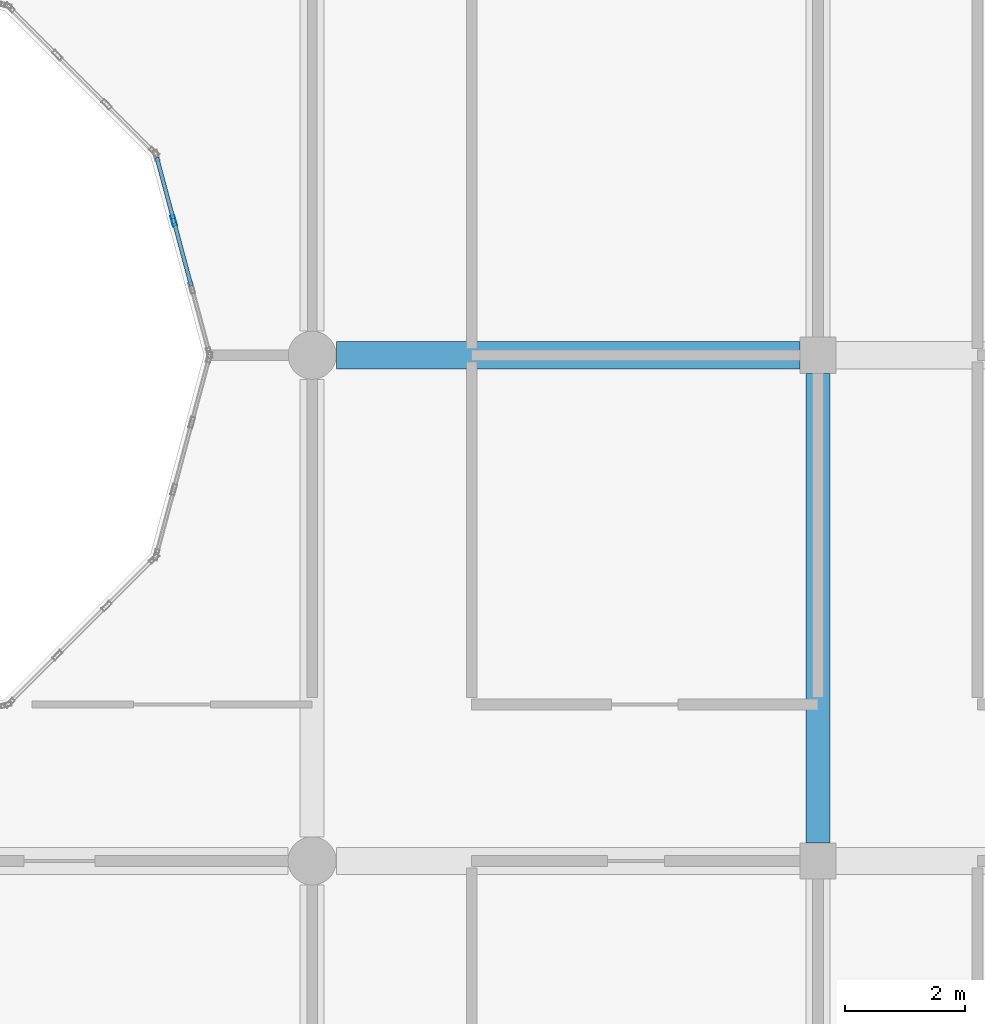
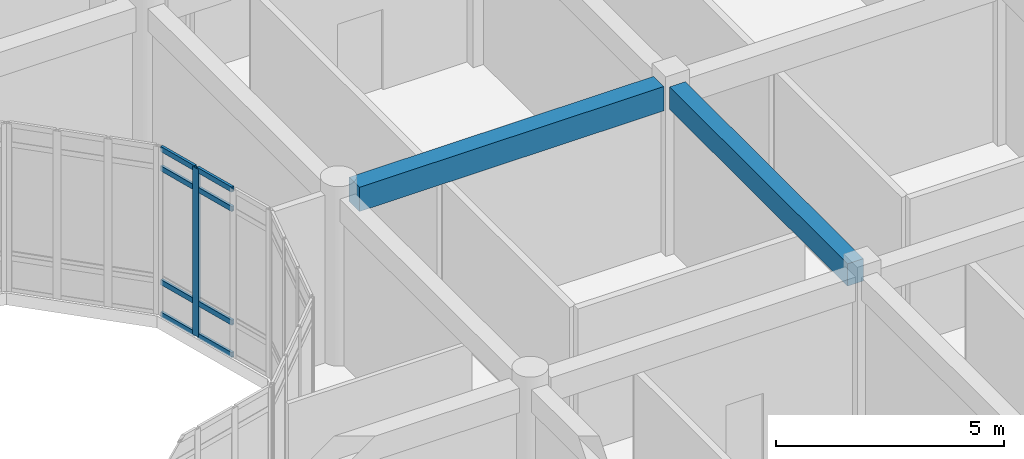
# One storey, part 28 of 138: 9 members, 2 beams, 1 element without a shape of its own.
"""IFC4 building model written with IfcOpenShell, lengths in metres."""

from ifc_helpers import new_model, si_unit, direction, frame, origin, origin_2d, place, context, subcontext, project, spatial, rectangle, hollow_rectangle, extrude, material, layer, layer_set, material_profile, profile_set, type_object, element, aggregate, save


model = new_model("IFC4")

# Units and contexts
model_context = context("Model", 3, precision=1e-05, world=origin(), true_north=direction((0.0, 1.0)))
body_context = subcontext(model_context, "Body", "Model", "MODEL_VIEW")
ifc_project = project(units=[si_unit("LENGTHUNIT", "METRE"), si_unit("AREAUNIT", "SQUARE_METRE"), si_unit("VOLUMEUNIT", "CUBIC_METRE"), si_unit("PLANEANGLEUNIT", "RADIAN"), si_unit("MASSUNIT", "GRAM", prefix="KILO")], contexts=[model_context])

# Site, building, storey
site_placement = place(None, origin())
site = spatial("IfcSite", under=ifc_project, at=site_placement, CompositionType="ELEMENT")
building_placement = place(site_placement, origin())
building = spatial("IfcBuilding", under=site, at=building_placement, Name="Bramfleet General Hospital", CompositionType="ELEMENT")
storey_placement = place(building_placement, origin())
storey = spatial("IfcBuildingStorey", under=building, at=storey_placement, Name="L00", CompositionType="ELEMENT", Elevation=0.0)

# Beams
ifc_material_1 = material(Name="Concrete C35/45", Category="concrete")
ifc_material_profile_1 = material_profile(ifc_material_1, rectangle(XDim=0.39990234375, YDim=0.60009765625, at=origin_2d()), Name="RC BM 600x400")
ifc_profile_set_1 = profile_set([ifc_material_profile_1], Name="Concrete C35/45")
beam_type_1 = type_object("IfcBeamType", Name="BM-RC600", PredefinedType="BEAM", material=ifc_profile_set_1)
beam_1_placement = place(storey_placement, frame((42.0, 75.89990234375, 4.199951171875), z_axis=(0.0, 1.0, 0.0), x_axis=(-1.0, 0.0, 0.0)))
element("IfcBeam", 1, at=beam_1_placement, inside=storey, type_object=beam_type_1, Name="L00 Grid Beam Y 05-09", PredefinedType="BEAM", context=body_context, shape_type="SweptSolid", body=[
    extrude(rectangle(XDim=0.39990234375, YDim=0.60009765625, at=origin_2d()), origin(), (0.0, 0.0, 1.0), 7.800048828125),
])
ifc_material_profile_2 = material_profile(ifc_material_1, rectangle(XDim=0.449951171875, YDim=0.64990234375, at=origin_2d()), Name="RC BM 650x450")
ifc_profile_set_2 = profile_set([ifc_material_profile_2], Name="Concrete C35/45")
beam_type_2 = type_object("IfcBeamType", Name="BM-RC650", PredefinedType="BEAM", material=ifc_profile_set_2)
beam_2_placement = place(storey_placement, frame((34.0, 84.0, 4.175048828125), z_axis=(1.0, 0.0, 0.0), x_axis=(0.0, 1.0, 0.0)))
element("IfcBeam", 2, at=beam_2_placement, inside=storey, type_object=beam_type_2, Name="L00 Grid Beam X 04-10", PredefinedType="BEAM", context=body_context, shape_type="SweptSolid", body=[
    extrude(rectangle(XDim=0.449951171875, YDim=0.64990234375, at=origin_2d()), origin(), (0.0, 0.0, 1.0), 7.699951171875),
])

# Curtain wall, members
ifc_material_2 = material(Name="Anodised aluminium and low-E triple glazing", Category="aluminium")
ifc_layer = layer(ifc_material_2, 0.179931640625, Name="CWT-CW-11")
ifc_layer_set = layer_set([ifc_layer], Name="Anodised aluminium and low-E triple glazing")
curtain_wall_type = type_object("IfcCurtainWallType", Name="CWT-CW-11", PredefinedType="USERDEFINED", material=ifc_layer_set)
curtain_wall_placement = place(storey_placement, origin())
curtain_wall = element("IfcCurtainWall", 3, at=curtain_wall_placement, inside=storey, type_object=curtain_wall_type, Name="L00 West Clinical Light Court Curtain Wall 7.1", ObjectType="Stick curtain wall", PredefinedType="USERDEFINED")
ifc_material_3 = material(Name="Anodised aluminium EN AW-6060", Category="aluminium")
ifc_material_profile_3 = material_profile(ifc_material_3, hollow_rectangle(XDim=0.070068359375, YDim=0.179931640625, WallThickness=0.00390625, at=origin_2d()), Name="ALU 180x70x4.0")
ifc_profile_set_3 = profile_set([ifc_material_profile_3], Name="Anodised aluminium EN AW-6060")
member_type_1 = type_object("IfcMemberType", Name="CWM-ALU180", PredefinedType="MULLION", material=ifc_profile_set_3)
member_1_placement = place(storey_placement, frame((31.30126953125, 86.2333984375, 0.0), z_axis=(0.0, 0.0, 1.0), x_axis=(-0.965899136003, -0.25891863407, 0.0)))
member_1 = element("IfcMember", 4, at=member_1_placement, type_object=member_type_1, Name="CW-11 mullion 3", PredefinedType="MULLION", context=body_context, shape_type="SweptSolid", body=[
    extrude(hollow_rectangle(XDim=0.070068359375, YDim=0.179931640625, WallThickness=0.00390625, at=origin_2d()), origin(), (0.0, 0.0, 1.0), 4.489990234375),
])
ifc_material_profile_4 = material_profile(ifc_material_3, hollow_rectangle(XDim=0.06494140625, YDim=0.139892578125, WallThickness=0.00390625, at=origin_2d()), Name="ALU 140x65x4.0")
ifc_profile_set_4 = profile_set([ifc_material_profile_4], Name="Anodised aluminium EN AW-6060")
member_type_2 = type_object("IfcMemberType", Name="CWT-ALU140", PredefinedType="USERDEFINED", material=ifc_profile_set_4)
member_2_placement = place(storey_placement, frame((31.591552734375, 85.150390625, 0.032470703125), z_axis=(-0.258949558843, 0.965890845787, 0.0), x_axis=(-0.965890845787, -0.258949558843, 0.0)))
member_2 = element("IfcMember", 5, at=member_2_placement, type_object=member_type_2, Name="CW-11 transom 2.1", ObjectType="TRANSOM", PredefinedType="USERDEFINED", context=body_context, shape_type="SweptSolid", body=[
    extrude(hollow_rectangle(XDim=0.06494140625, YDim=0.139892578125, WallThickness=0.00390625, at=origin_2d()), origin(), (0.0, 0.0, 1.0), 1.086181640625),
])
member_3_placement = place(storey_placement, frame((31.591552734375, 85.150390625, 0.89990234375), z_axis=(-0.258949558843, 0.965890845787, 0.0), x_axis=(-0.965890845787, -0.258949558843, 0.0)))
member_3 = element("IfcMember", 6, at=member_3_placement, type_object=member_type_2, Name="CW-11 transom 2.2", ObjectType="TRANSOM", PredefinedType="USERDEFINED", context=body_context, shape_type="SweptSolid", body=[
    extrude(hollow_rectangle(XDim=0.06494140625, YDim=0.139892578125, WallThickness=0.00390625, at=origin_2d()), origin(), (0.0, 0.0, 1.0), 1.086181640625),
])
member_4_placement = place(storey_placement, frame((31.591552734375, 85.150390625, 3.93994140625), z_axis=(-0.258949558843, 0.965890845787, 0.0), x_axis=(-0.965890845787, -0.258949558843, 0.0)))
member_4 = element("IfcMember", 7, at=member_4_placement, type_object=member_type_2, Name="CW-11 transom 2.3", ObjectType="TRANSOM", PredefinedType="USERDEFINED", context=body_context, shape_type="SweptSolid", body=[
    extrude(hollow_rectangle(XDim=0.06494140625, YDim=0.139892578125, WallThickness=0.00390625, at=origin_2d()), origin(), (0.0, 0.0, 1.0), 1.086181640625),
])
member_5_placement = place(storey_placement, frame((31.591552734375, 85.150390625, 4.45751953125), z_axis=(-0.258949558843, 0.965890845787, 0.0), x_axis=(-0.965890845787, -0.258949558843, 0.0)))
member_5 = element("IfcMember", 8, at=member_5_placement, type_object=member_type_2, Name="CW-11 transom 2.4", ObjectType="TRANSOM", PredefinedType="USERDEFINED", context=body_context, shape_type="SweptSolid", body=[
    extrude(hollow_rectangle(XDim=0.06494140625, YDim=0.139892578125, WallThickness=0.00390625, at=origin_2d()), origin(), (0.0, 0.0, 1.0), 1.086181640625),
])
member_6_placement = place(storey_placement, frame((31.292236328125, 86.26708984375, 0.032470703125), z_axis=(-0.258948903342, 0.965891021523, 0.0), x_axis=(-0.965891021523, -0.258948903342, 0.0)))
member_6 = element("IfcMember", 9, at=member_6_placement, type_object=member_type_2, Name="CW-11 transom 3.1", ObjectType="TRANSOM", PredefinedType="USERDEFINED", context=body_context, shape_type="SweptSolid", body=[
    extrude(hollow_rectangle(XDim=0.06494140625, YDim=0.139892578125, WallThickness=0.00390625, at=origin_2d()), origin(), (0.0, 0.0, 1.0), 1.05126953125),
])
member_7_placement = place(storey_placement, frame((31.292236328125, 86.26708984375, 0.89990234375), z_axis=(-0.258948903342, 0.965891021523, 0.0), x_axis=(-0.965891021523, -0.258948903342, 0.0)))
member_7 = element("IfcMember", 10, at=member_7_placement, type_object=member_type_2, Name="CW-11 transom 3.2", ObjectType="TRANSOM", PredefinedType="USERDEFINED", context=body_context, shape_type="SweptSolid", body=[
    extrude(hollow_rectangle(XDim=0.06494140625, YDim=0.139892578125, WallThickness=0.00390625, at=origin_2d()), origin(), (0.0, 0.0, 1.0), 1.05126953125),
])
member_8_placement = place(storey_placement, frame((31.292236328125, 86.26708984375, 3.93994140625), z_axis=(-0.258948903342, 0.965891021523, 0.0), x_axis=(-0.965891021523, -0.258948903342, 0.0)))
member_8 = element("IfcMember", 11, at=member_8_placement, type_object=member_type_2, Name="CW-11 transom 3.3", ObjectType="TRANSOM", PredefinedType="USERDEFINED", context=body_context, shape_type="SweptSolid", body=[
    extrude(hollow_rectangle(XDim=0.06494140625, YDim=0.139892578125, WallThickness=0.00390625, at=origin_2d()), origin(), (0.0, 0.0, 1.0), 1.05126953125),
])
member_9_placement = place(storey_placement, frame((31.292236328125, 86.26708984375, 4.45751953125), z_axis=(-0.258948903342, 0.965891021523, 0.0), x_axis=(-0.965891021523, -0.258948903342, 0.0)))
member_9 = element("IfcMember", 12, at=member_9_placement, type_object=member_type_2, Name="CW-11 transom 3.4", ObjectType="TRANSOM", PredefinedType="USERDEFINED", context=body_context, shape_type="SweptSolid", body=[
    extrude(hollow_rectangle(XDim=0.06494140625, YDim=0.139892578125, WallThickness=0.00390625, at=origin_2d()), origin(), (0.0, 0.0, 1.0), 1.05126953125),
])
aggregate(curtain_wall, [member_1, member_2, member_3, member_4, member_5, member_6, member_7, member_8, member_9])

save(model, "model.ifc")
